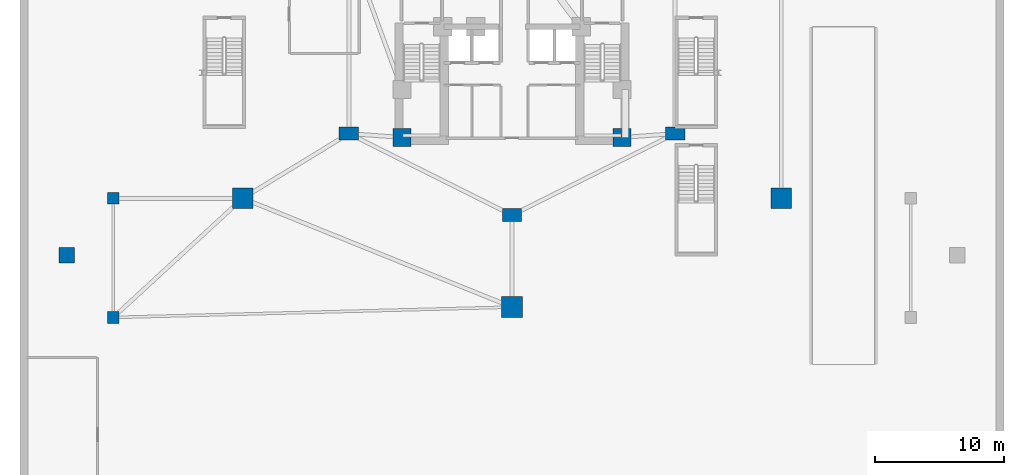
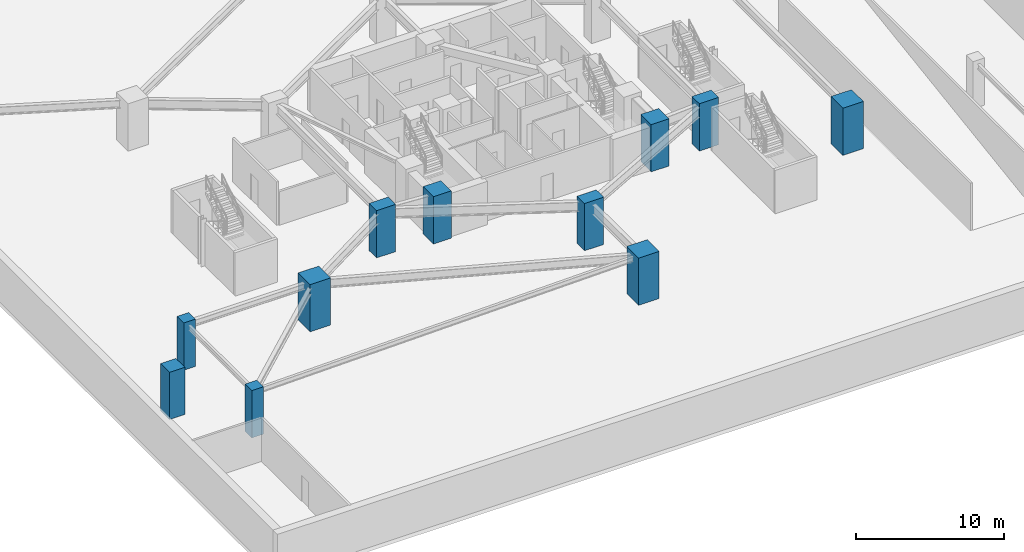
# One storey, part 1 of 12: 11 columns.
"""IFC4 building model written with IfcOpenShell, lengths in metres."""

from ifc_helpers import new_model, si_unit, direction, frame, origin, origin_2d, place, context, subcontext, project, spatial, rectangle, extrude, material, material_profile, profile_set, type_object, element, save


model = new_model("IFC4")

# Units and contexts
model_context = context("Model", 3, precision=1e-05, world=origin(), true_north=direction((0.0, 1.0)))
body_context = subcontext(model_context, "Body", "Model", "MODEL_VIEW")
ifc_project = project(units=[si_unit("LENGTHUNIT", "METRE"), si_unit("AREAUNIT", "SQUARE_METRE"), si_unit("VOLUMEUNIT", "CUBIC_METRE"), si_unit("PLANEANGLEUNIT", "RADIAN"), si_unit("MASSUNIT", "GRAM", prefix="KILO")], contexts=[model_context])

# Site, building, storey
site_placement = place(None, origin())
site = spatial("IfcSite", under=ifc_project, at=site_placement, CompositionType="ELEMENT")
building_placement = place(site_placement, origin())
building = spatial("IfcBuilding", under=site, at=building_placement, Name="Miruveldt Soraemaru", CompositionType="ELEMENT")
storey_placement = place(building_placement, frame((0.0, 0.0, -11.699951171875)))
storey = spatial("IfcBuildingStorey", under=building, at=storey_placement, Name="B3", CompositionType="ELEMENT", Elevation=-11.699951171875)

# Columns
ifc_material_1 = material(Name="Concrete C70/85 (70 MPa)", Category="concrete")
ifc_material_profile_1 = material_profile(ifc_material_1, rectangle(XDim=1.199951171875, YDim=1.199951171875, at=origin_2d()), Name="Concrete C70/85 (70 MPa)", Category="concrete")
ifc_profile_set_1 = profile_set([ifc_material_profile_1], Name="Concrete C70/85 (70 MPa)")
column_type_1 = type_object("IfcColumnType", Name="COL-CORE-1200", PredefinedType="COLUMN", material=ifc_profile_set_1)
column_placement = place(storey_placement, frame((9.60009765625, 26.39990234375, 0.0), z_axis=(0.0, 0.0, 1.0), x_axis=(1.0, 0.0, 0.0)))
element("IfcColumn", 1, at=column_placement, inside=storey, type_object=column_type_1, Name="B3 Structural Column BC1", PredefinedType="COLUMN", context=body_context, shape_type="SweptSolid", body=[
    extrude(rectangle(XDim=1.199951171875, YDim=1.199951171875, at=origin_2d()), origin(), (0.0, 0.0, 1.0), 3.89990234375),
])
ifc_material_2 = material(Name="Concrete C50/60 (50 MPa)", Category="concrete")
ifc_material_profile_2 = material_profile(ifc_material_2, rectangle(XDim=0.89990234375, YDim=0.89990234375, at=origin_2d()), Name="Concrete C50/60 (50 MPa)", Category="concrete")
ifc_profile_set_2 = profile_set([ifc_material_profile_2], Name="Concrete C50/60 (50 MPa)")
column_type_2 = type_object("IfcColumnType", Name="COL-CORE-900", PredefinedType="COLUMN", material=ifc_profile_set_2)
for number, where, z_axis, x_axis, name in (
    (2, (13.199951171875, 21.60009765625, 0.0), (0.0, 0.0, 1.0), (1.0, 0.0, 0.0), "B3 Structural Column PF01"),
    (3, (13.199951171875, 30.800048828125, 0.0), (0.0, 0.0, 1.0), (1.0, 0.0, 0.0), "B3 Structural Column PF02"),
):
    element("IfcColumn", number, at=place(storey_placement, frame(where, z_axis=z_axis, x_axis=x_axis)), inside=storey, type_object=column_type_2, Name=name, PredefinedType="COLUMN", context=body_context, shape_type="SweptSolid", body=[
        extrude(rectangle(XDim=0.89990234375, YDim=0.89990234375, at=origin_2d()), origin(), (0.0, 0.0, 1.0), 3.89990234375),
    ])
ifc_material_3 = material(Name="Concrete C80/95 (80 MPa)", Category="concrete")
ifc_material_profile_3 = material_profile(ifc_material_3, rectangle(XDim=1.39990234375, YDim=1.39990234375, at=origin_2d()), Name="Concrete C80/95 (80 MPa)", Category="concrete")
ifc_profile_set_3 = profile_set([ifc_material_profile_3], Name="Concrete C80/95 (80 MPa)")
column_type_3 = type_object("IfcColumnType", Name="COL-MEGA-1400", PredefinedType="COLUMN", material=ifc_profile_set_3)
for number, where, z_axis, x_axis, name in (
    (4, (35.5, 35.5, 0.0), (0.0, 0.0, 1.0), (1.0, 0.0, 0.0), "B3 Structural Column CC1"),
    (5, (52.5, 35.5, 0.0), (0.0, 0.0, 1.0), (1.0, 0.0, 0.0), "B3 Structural Column CC3"),
):
    element("IfcColumn", number, at=place(storey_placement, frame(where, z_axis=z_axis, x_axis=x_axis)), inside=storey, type_object=column_type_3, Name=name, PredefinedType="COLUMN", context=body_context, shape_type="SweptSolid", body=[
        extrude(rectangle(XDim=1.39990234375, YDim=1.39990234375, at=origin_2d()), origin(), (0.0, 0.0, 1.0), 3.89990234375),
    ])
ifc_material_profile_4 = material_profile(ifc_material_3, rectangle(XDim=1.60009765625, YDim=1.60009765625, at=origin_2d()), Name="Concrete C80/95 (80 MPa)", Category="concrete")
ifc_profile_set_4 = profile_set([ifc_material_profile_4], Name="Concrete C80/95 (80 MPa)")
column_type_4 = type_object("IfcColumnType", Name="COL-MEGA-1600", PredefinedType="COLUMN", material=ifc_profile_set_4)
for number, where, z_axis, x_axis, name in (
    (6, (64.800048828125, 30.800048828125, 0.0), (0.0, 0.0, 1.0), (1.0, 0.0, 0.0), "B3 Structural Column PM03"),
    (7, (44.0, 22.39990234375, 0.0), (0.0, 0.0, 1.0), (1.0, 0.0, 0.0), "B3 Structural Column PM04"),
    (8, (23.199951171875, 30.800048828125, 0.0), (0.0, 0.0, 1.0), (1.0, 0.0, 0.0), "B3 Structural Column PM05"),
):
    element("IfcColumn", number, at=place(storey_placement, frame(where, z_axis=z_axis, x_axis=x_axis)), inside=storey, type_object=column_type_4, Name=name, PredefinedType="COLUMN", context=body_context, shape_type="SweptSolid", body=[
        extrude(rectangle(XDim=1.60009765625, YDim=1.60009765625, at=origin_2d()), origin(), (0.0, 0.0, 1.0), 3.89990234375),
    ])
ifc_material_profile_5 = material_profile(ifc_material_3, rectangle(XDim=1.5, YDim=1.0, at=origin_2d()), Name="Concrete C80/95 (80 MPa)", Category="concrete")
ifc_profile_set_5 = profile_set([ifc_material_profile_5], Name="Concrete C80/95 (80 MPa)")
column_type_5 = type_object("IfcColumnType", Name="COL-TW-Z1A", PredefinedType="COLUMN", material=ifc_profile_set_5)
for number, where, z_axis, x_axis, name in (
    (9, (56.60009765625, 35.800048828125, 0.0), (0.0, 0.0, 1.0), (1.0, 0.0, 0.0), "B3 Structural Column IR03"),
    (10, (44.0, 29.5, 0.0), (0.0, 0.0, 1.0), (1.0, 0.0, 0.0), "B3 Structural Column IR04"),
    (11, (31.39990234375, 35.800048828125, 0.0), (0.0, 0.0, 1.0), (1.0, 0.0, 0.0), "B3 Structural Column IR05"),
):
    element("IfcColumn", number, at=place(storey_placement, frame(where, z_axis=z_axis, x_axis=x_axis)), inside=storey, type_object=column_type_5, Name=name, PredefinedType="COLUMN", context=body_context, shape_type="SweptSolid", body=[
        extrude(rectangle(XDim=1.5, YDim=1.0, at=origin_2d()), origin(), (0.0, 0.0, 1.0), 3.89990234375),
    ])

save(model, "model.ifc")
